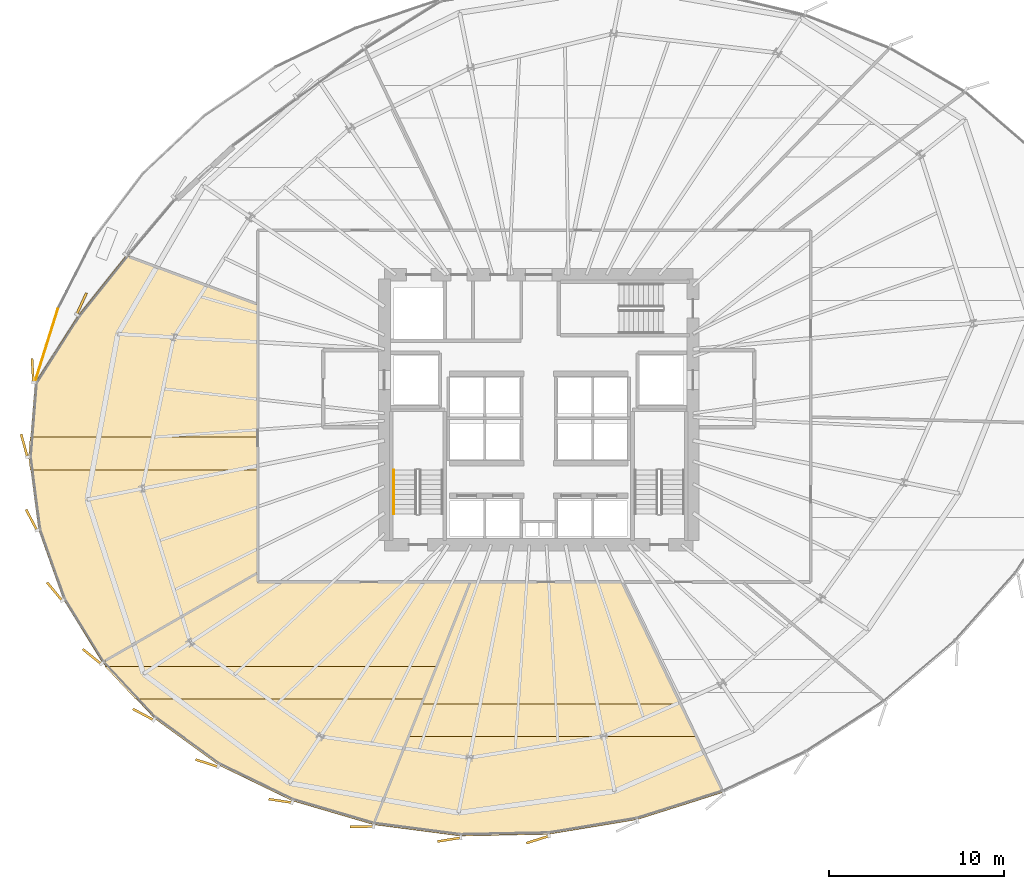
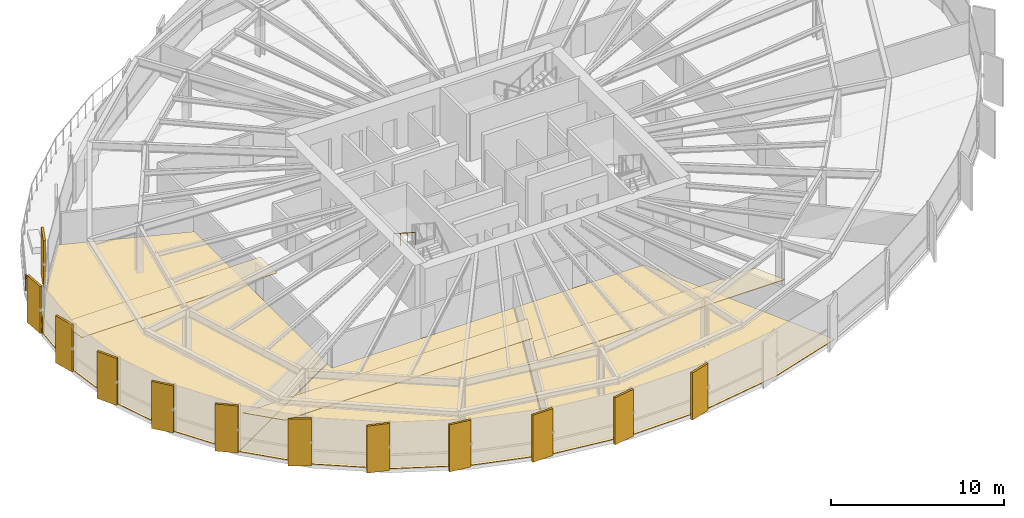
# One storey, part 32 of 35: 18 coverings, 2 railings.
"""IFC4 building model written with IfcOpenShell, lengths in metres."""

from ifc_helpers import new_model, si_unit, direction, frame, origin, origin_2d, place, context, subcontext, project, spatial, polyline, rectangle, circle, outline, extrude, source, transform, mapped, material, layer, layer_set, type_object, element, save


model = new_model("IFC4")

# Units and contexts
model_context = context("Model", 3, precision=1e-05, world=origin(), true_north=direction((0.0, 1.0)))
body_context = subcontext(model_context, "Body", "Model", "MODEL_VIEW")
ifc_project = project(units=[si_unit("LENGTHUNIT", "METRE"), si_unit("AREAUNIT", "SQUARE_METRE"), si_unit("VOLUMEUNIT", "CUBIC_METRE"), si_unit("PLANEANGLEUNIT", "RADIAN"), si_unit("MASSUNIT", "GRAM", prefix="KILO"), si_unit("THERMODYNAMICTEMPERATUREUNIT", "KELVIN")], contexts=[model_context])

# Site, building, storey
site_placement = place(None, origin())
site = spatial("IfcSite", under=ifc_project, at=site_placement, CompositionType="ELEMENT")
building_placement = place(site_placement, origin())
building = spatial("IfcBuilding", under=site, at=building_placement, Name="Kethvar Cultural Tower", CompositionType="ELEMENT")
storey_placement = place(building_placement, frame((0.0, 0.0, 89.199951171875)))
storey = spatial("IfcBuildingStorey", under=building, at=storey_placement, Name="L21", CompositionType="ELEMENT", Elevation=89.199951171875)

# Coverings
ifc_material_1 = material(Name="Acoustic Mineral Fibre Ceiling")
ifc_layer_1 = layer(ifc_material_1, 0.0400390625, Name="Acoustic Mineral Fibre Ceiling")
ifc_layer_set_1 = layer_set([ifc_layer_1], Name="Acoustic Mineral Fibre Ceiling (40 mm)")
covering_type_1 = type_object("IfcCoveringType", Name="CV-ACOUSTIC-CEIL", PredefinedType="CEILING", material=ifc_layer_set_1)
covering_1_placement = place(storey_placement, frame((0.0, 0.0, 2.780029296875)))
element("IfcCovering", 1, at=covering_1_placement, inside=storey, type_object=covering_type_1, Name="L21 Room 01 Acoustic Ceiling Panel", PredefinedType="CEILING", context=body_context, shape_type="SweptSolid", body=[
    extrude(outline(polyline([(22.052001953125, 13.1708984375), (41.0126953125, 13.1708984375), (40.270263671875, 11.30078125), (23.803955078125, 11.30078125), (22.052001953125, 13.1708984375)])), origin(), (0.0, 0.0, 1.0), 0.0400390625),
])
covering_2_placement = place(storey_placement, frame((0.0, 0.0, 2.780029296875)))
element("IfcCovering", 2, at=covering_2_placement, inside=storey, type_object=covering_type_1, Name="L21 Room 02 Acoustic Ceiling Panel", PredefinedType="CEILING", context=body_context, shape_type="SweptSolid", body=[
    extrude(outline(polyline([(40.1171875, 11.0234375), (54.911865234375, 11.0234375), (55.813720703125, 9.1533203125), (39.37451171875, 9.1533203125), (40.1171875, 11.0234375)])), origin(), (0.0, 0.0, 1.0), 0.0400390625),
])
covering_3_placement = place(storey_placement, frame((0.0, 0.0, 2.780029296875)))
element("IfcCovering", 3, at=covering_3_placement, inside=storey, type_object=covering_type_1, Name="L21 Room 09 Acoustic Ceiling Panel", PredefinedType="CEILING", context=body_context, shape_type="SweptSolid", body=[
    extrude(outline(polyline([(17.698974609375, 25.1123046875), (17.788818359375, 26.2373046875), (30.7900390625, 26.2373046875), (30.7900390625, 24.367431640625), (17.795654296875, 24.367431640625), (17.698974609375, 25.1123046875)])), origin(), (0.0, 0.0, 1.0), 0.0400390625),
])
ifc_material_2 = material(Name="Architectural Oak Timber", Category="wood")
ifc_layer_2 = layer(ifc_material_2, 0.02490234375, Name="Architectural Oak Timber", Category="wood")
ifc_layer_set_2 = layer_set([ifc_layer_2], Name="Architectural Oak Timber (25 mm)")
covering_type_2 = type_object("IfcCoveringType", Name="CV-OAK-FLOOR", PredefinedType="FLOORING", material=ifc_layer_set_2)
covering_4_placement = place(storey_placement, origin())
element("IfcCovering", 4, at=covering_4_placement, inside=storey, type_object=covering_type_2, Name="L21 Room 01 Floor Finish", PredefinedType="FLOORING", context=body_context, shape_type="SweptSolid", body=[
    extrude(outline(polyline([(32.76513671875, 5.4921875), (28.55810546875, 7.52978515625), (24.90576171875, 10.183349609375), (21.9345703125, 13.35498046875), (30.75, 18.468017578125), (30.77001953125, 17.9599609375), (42.871337890625, 17.9599609375), (37.3828125, 4.136962890625), (32.76513671875, 5.4921875)])), origin(), (0.0, 0.0, 1.0), 0.025146484375),
])
covering_5_placement = place(storey_placement, origin())
element("IfcCovering", 5, at=covering_5_placement, inside=storey, type_object=covering_type_2, Name="L21 Room 02 Floor Finish", PredefinedType="FLOORING", context=body_context, shape_type="SweptSolid", body=[
    extrude(outline(polyline([(52.412109375, 4.423583984375), (47.373779296875, 3.589599609375), (42.318115234375, 3.491455078125), (37.422607421875, 4.129150390625), (42.914306640625, 17.9599609375), (51.522705078125, 17.9599609375), (57.303466796875, 5.971923828125), (52.412109375, 4.423583984375)])), origin(), (0.0, 0.0, 1.0), 0.025146484375),
])
covering_6_placement = place(storey_placement, origin())
element("IfcCovering", 6, at=covering_6_placement, inside=storey, type_object=covering_type_2, Name="L21 Room 09 Floor Finish", PredefinedType="FLOORING", context=body_context, shape_type="SweptSolid", body=[
    extrude(outline(polyline([(19.6875, 16.998291015625), (18.280029296875, 20.952880859375), (17.73876953125, 25.115478515625), (18.080078125, 29.356689453125), (20.53125, 33.185302734375), (23.268310546875, 36.601318359375), (30.75, 33.796142578125), (30.75, 18.51416015625), (21.909423828125, 13.38671875), (19.6875, 16.998291015625)])), origin(), (0.0, 0.0, 1.0), 0.025146484375),
])

# Railings
ifc_material_3 = material(Name="Steel S355J2", Category="steel")
railing_type_1 = type_object("IfcRailingType", Name="RL-EXT-GUARD-1150", PredefinedType="BALUSTRADE", material=ifc_material_3)
railing_1_placement = place(storey_placement, frame((19.37353515625, 33.543701171875, 0.0)))
element("IfcRailing", 7, at=railing_1_placement, inside=storey, type_object=railing_type_1, Name="L21 Spiralling Terrace Balustrade 07", PredefinedType="BALUSTRADE", context=body_context, shape_type="SweptSolid", body=[
    extrude(circle(Radius=0.02392578125, at=origin_2d()), frame((0.0, 0.0, 1.1259765625), z_axis=(-0.299648386773, -0.95404970746, 0.0), x_axis=(0.95404970746, -0.299648386773, 0.0)), (0.0, 0.0, 1.0), 4.3818359375),
    extrude(circle(Radius=0.02099609375, at=origin_2d()), origin(), (0.0, 0.0, 1.0), 1.101806640625),
    extrude(circle(Radius=0.02099609375, at=origin_2d()), frame((-0.328125, -1.045166015625, 0.0)), (0.0, 0.0, 1.0), 1.101806640625),
    extrude(circle(Radius=0.02099609375, at=origin_2d()), frame((-0.656494140625, -2.09033203125, 0.0)), (0.0, 0.0, 1.0), 1.101806640625),
    extrude(circle(Radius=0.02099609375, at=origin_2d()), frame((-0.98486328125, -3.13525390625, 0.0)), (0.0, 0.0, 1.0), 1.101806640625),
    extrude(circle(Radius=0.02099609375, at=origin_2d()), frame((-1.31298828125, -4.180419921875, 0.0)), (0.0, 0.0, 1.0), 1.101806640625),
])
railing_type_2 = type_object("IfcRailingType", Name="RL-STAIR-HANDRAIL", PredefinedType="HANDRAIL", material=ifc_material_3)
railing_2_placement = place(storey_placement, frame((38.5400390625, 24.3701171875, 1.97998046875)))
element("IfcRailing", 8, at=railing_2_placement, inside=storey, type_object=railing_type_2, Name="L21 ST-01 stair handrail 2", PredefinedType="HANDRAIL", context=body_context, shape_type="SweptSolid", body=[
    extrude(circle(Radius=0.02392578125, at=origin_2d()), frame((0.0, 0.0, 0.8759765625), z_axis=(0.0, -0.841162588446, 0.540782303519), x_axis=(1.0, 0.0, 0.0)), (0.0, 0.0, 1.0), 2.995849609375),
    extrude(circle(Radius=0.02099609375, at=origin_2d()), origin(), (0.0, 0.0, 1.0), 0.851806640625),
    extrude(circle(Radius=0.02099609375, at=origin_2d()), frame((0.0, -0.840087890625, 0.5400390625)), (0.0, 0.0, 1.0), 0.851806640625),
    extrude(circle(Radius=0.02099609375, at=origin_2d()), frame((0.0, -1.679931640625, 1.080078125)), (0.0, 0.0, 1.0), 0.851806640625),
    extrude(circle(Radius=0.02099609375, at=origin_2d()), frame((0.0, -2.52001953125, 1.6201171875)), (0.0, 0.0, 1.0), 0.851806640625),
])

# Coverings
ifc_material_4 = material(Name="Extruded Architectural Terracotta", Category="masonry")
ifc_layer_3 = layer(ifc_material_4, 0.135009765625, Name="Extruded Architectural Terracotta", Category="masonry")
ifc_layer_set_3 = layer_set([ifc_layer_3], Name="Extruded Architectural Terracotta (135 mm)")
covering_type_3 = type_object("IfcCoveringType", Name="Terracotta Facade Fin FIN-02", PredefinedType="CLADDING", material=ifc_layer_set_3)
shared_shape = source(origin(), body_context, "Body", "SweptSolid", [
    extrude(rectangle(XDim=1.35009765625, YDim=0.135009765625, at=origin_2d()), origin(), (0.0, 0.0, 1.0), 3.31005859375),
])
for number, where, z_axis, x_axis, name in (
    (9, (20.72900390625, 33.853759765625, 0.02001953125), (0.0, 0.0, 1.0), (0.416756810089, 0.909018020308, 0.0), "L21 Vertical Terracotta Fin 3.3"),
    (10, (17.940673828125, 30.043701171875, 0.02001953125), (0.0, 0.0, 1.0), (-0.059306373576, 0.998239827924, 0.0), "L21 Vertical Terracotta Fin 3.4"),
    (11, (17.4599609375, 25.75537109375, 0.02001953125), (0.0, 0.0, 1.0), (-0.265724379832, 0.964049041264, 0.0), "L21 Vertical Terracotta Fin 3.5"),
    (12, (17.87255859375, 21.519775390625, 0.02001953125), (0.0, 0.0, 1.0), (-0.463141356361, 0.886284426145, 0.0), "L21 Vertical Terracotta Fin 3.6"),
    (13, (19.19140625, 17.4345703125, 0.02001953125), (0.0, 0.0, 1.0), (-0.637423989749, 0.770513242776, 0.0), "L21 Vertical Terracotta Fin 4.1"),
    (14, (21.31884765625, 13.728515625, 0.02001953125), (0.0, 0.0, 1.0), (-0.778571842519, 0.627555484428, 0.0), "L21 Vertical Terracotta Fin 4.2"),
    (15, (24.24951171875, 10.42041015625, 0.02001953125), (0.0, 0.0, 1.0), (-0.882947592859, 0.469471562786, 0.0), "L21 Vertical Terracotta Fin 4.3"),
    (16, (27.87060546875, 7.6474609375, 0.02001953125), (0.0, 0.0, 1.0), (-0.951915745148, 0.306359942125, 0.0), "L21 Vertical Terracotta Fin 4.4"),
    (17, (32.067626953125, 5.49462890625, 0.02001953125), (0.0, 0.0, 1.0), (-0.989374077068, 0.145392350643, 0.0), "L21 Vertical Terracotta Fin 4.5"),
    (18, (36.70947265625, 4.0263671875, 0.02001953125), (0.0, 0.0, 1.0), (-0.999948763788, -0.010122736774, 0.0), "L21 Vertical Terracotta Fin 4.6"),
    (19, (41.691162109375, 3.285400390625, 0.02001953125), (0.0, 0.0, 1.0), (-0.987386187922, -0.158330401065, 0.0), "L21 Vertical Terracotta Fin 5.1"),
    (20, (46.74462890625, 3.2890625, 0.02001953125), (0.0, 0.0, 1.0), (-0.954240328516, -0.299040792256, 0.0), "L21 Vertical Terracotta Fin 5.2"),
):
    element("IfcCovering", number, at=place(storey_placement, frame(where, z_axis=z_axis, x_axis=x_axis)), inside=storey, type_object=covering_type_3, Name=name, PredefinedType="CLADDING", context=body_context, shape_type="MappedRepresentation", body=[
        mapped(shared_shape, transform((0.0, 0.0, 0.0), scale=1.0)),
    ])

save(model, "model.ifc")
